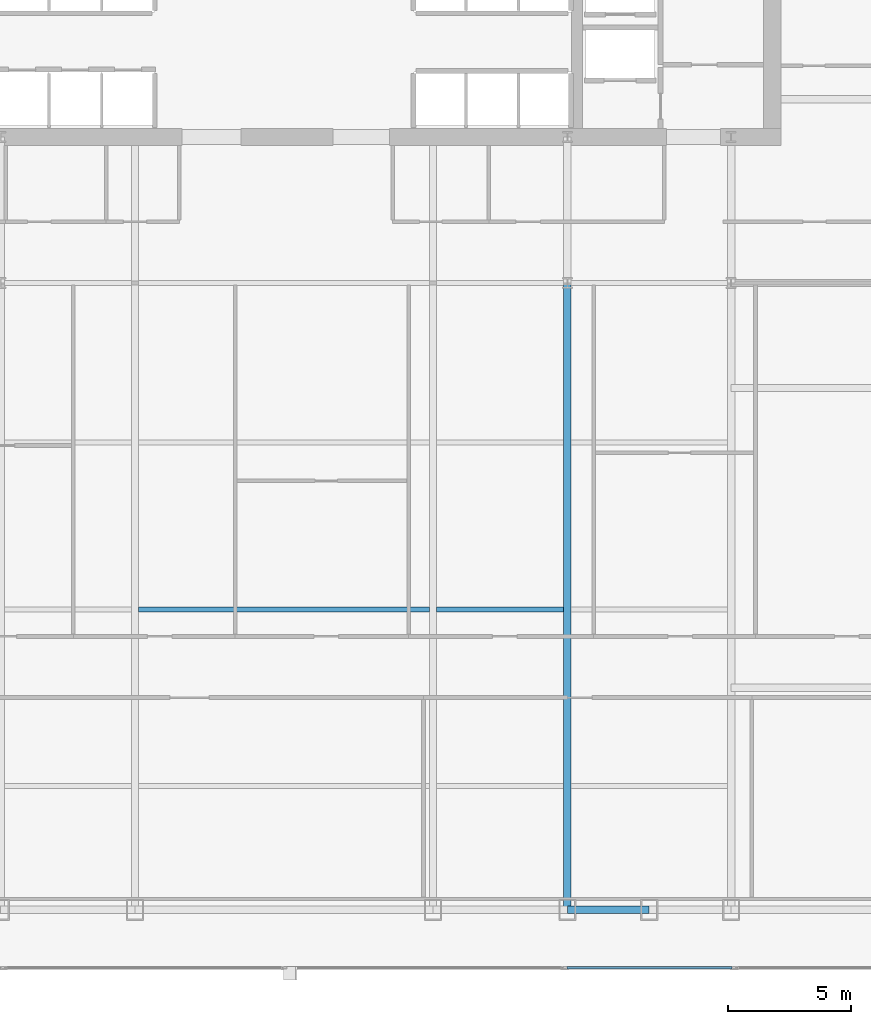
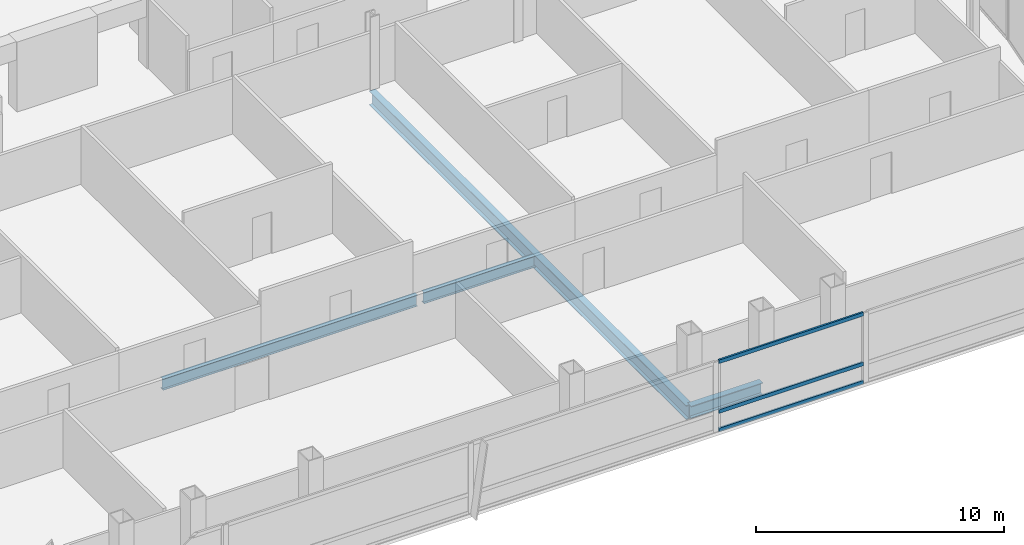
# One storey, part 14 of 32: 4 beams, 3 members, 1 element without a shape of its own.
"""IFC4 building model written with IfcOpenShell, lengths in metres."""

from ifc_helpers import new_model, si_unit, direction, frame, origin, origin_2d, place, context, subcontext, project, spatial, hollow_rectangle, i_section, extrude, material, material_profile, profile_set, type_object, element, aggregate, save


model = new_model("IFC4")

# Units and contexts
model_context = context("Model", 3, precision=1e-05, world=origin(), true_north=direction((0.0, 1.0)))
body_context = subcontext(model_context, "Body", "Model", "MODEL_VIEW")
ifc_project = project(units=[si_unit("LENGTHUNIT", "METRE"), si_unit("AREAUNIT", "SQUARE_METRE"), si_unit("VOLUMEUNIT", "CUBIC_METRE"), si_unit("PLANEANGLEUNIT", "RADIAN"), si_unit("MASSUNIT", "GRAM", prefix="KILO")], contexts=[model_context])

# Site, building, storey
site_placement = place(None, origin())
site = spatial("IfcSite", under=ifc_project, at=site_placement, CompositionType="ELEMENT")
building_placement = place(site_placement, origin())
building = spatial("IfcBuilding", under=site, at=building_placement, Name="Khoronbel Lancet Exchange", CompositionType="ELEMENT")
storey_placement = place(building_placement, frame((0.0, 0.0, 111.0)))
storey = spatial("IfcBuildingStorey", under=building, at=storey_placement, Name="L26", CompositionType="ELEMENT", Elevation=111.0)

# Beams
ifc_material_1 = material(Name="Steel S355", Category="steel")
ifc_material_profile_1 = material_profile(ifc_material_1, i_section(OverallWidth=0.300048828125, OverallDepth=0.699951171875, WebThickness=0.01708984375, FlangeThickness=0.031982421875, at=origin_2d()), Name="HEB 700")
ifc_profile_set_1 = profile_set([ifc_material_profile_1], Name="Steel S355")
beam_type_1 = type_object("IfcBeamType", Name="BM-BG3", PredefinedType="BEAM", material=ifc_profile_set_1)
beam_1_placement = place(storey_placement, frame((48.0, 10.14990234375, -0.510009765625), z_axis=(0.0, 1.0, 0.0), x_axis=(-1.0, 0.0, 0.0)))
element("IfcBeam", 1, at=beam_1_placement, inside=storey, type_object=beam_type_1, Name="Level L26 south primary girder GS5", PredefinedType="BEAM", context=body_context, shape_type="SweptSolid", body=[
    extrude(i_section(OverallWidth=0.300048828125, OverallDepth=0.699951171875, WebThickness=0.01708984375, FlangeThickness=0.031982421875, at=origin_2d()), origin(), (0.0, 0.0, 1.0), 25.550048828125),
])
ifc_material_profile_2 = material_profile(ifc_material_1, i_section(OverallWidth=0.2099609375, OverallDepth=0.550048828125, WebThickness=0.010986328125, FlangeThickness=0.01708984375, at=origin_2d()), Name="IPE 550")
ifc_profile_set_2 = profile_set([ifc_material_profile_2], Name="Steel S355")
beam_type_2 = type_object("IfcBeamType", Name="BM-BJ2", PredefinedType="JOIST", material=ifc_profile_set_2)
beam_2_placement = place(storey_placement, frame((30.52490234375, 22.39990234375, -0.43505859375), z_axis=(1.0, 0.0, 0.0), x_axis=(0.0, 1.0, 0.0)))
element("IfcBeam", 2, at=beam_2_placement, inside=storey, type_object=beam_type_2, Name="Level L26 secondary composite joist J08", PredefinedType="JOIST", context=body_context, shape_type="SweptSolid", body=[
    extrude(i_section(OverallWidth=0.2099609375, OverallDepth=0.550048828125, WebThickness=0.010986328125, FlangeThickness=0.01708984375, at=origin_2d()), origin(), (0.0, 0.0, 1.0), 11.85009765625),
])
beam_3_placement = place(storey_placement, frame((42.675048828125, 22.39990234375, -0.43505859375), z_axis=(1.0, 0.0, 0.0), x_axis=(0.0, 1.0, 0.0)))
element("IfcBeam", 3, at=beam_3_placement, inside=storey, type_object=beam_type_2, Name="Level L26 secondary composite joist J09", PredefinedType="JOIST", context=body_context, shape_type="SweptSolid", body=[
    extrude(i_section(OverallWidth=0.2099609375, OverallDepth=0.550048828125, WebThickness=0.010986328125, FlangeThickness=0.01708984375, at=origin_2d()), origin(), (0.0, 0.0, 1.0), 5.175048828125),
])
ifc_material_profile_3 = material_profile(ifc_material_1, i_section(OverallWidth=0.300048828125, OverallDepth=0.60009765625, WebThickness=0.015380859375, FlangeThickness=0.030029296875, at=origin_2d()), Name="HEB 600")
ifc_profile_set_3 = profile_set([ifc_material_profile_3], Name="Steel S355")
beam_type_3 = type_object("IfcBeamType", Name="BM-BSP2", PredefinedType="SPANDREL", material=ifc_profile_set_3)
beam_4_placement = place(storey_placement, frame((48.0, 10.14990234375, -0.4599609375), z_axis=(1.0, 0.0, 0.0), x_axis=(0.0, 1.0, 0.0)))
element("IfcBeam", 4, at=beam_4_placement, inside=storey, type_object=beam_type_3, Name="Level L26 perimeter spandrel beam SP07", PredefinedType="SPANDREL", context=body_context, shape_type="SweptSolid", body=[
    extrude(i_section(OverallWidth=0.300048828125, OverallDepth=0.60009765625, WebThickness=0.015380859375, FlangeThickness=0.030029296875, at=origin_2d()), origin(), (0.0, 0.0, 1.0), 3.33740234375),
])

# Curtain wall, members
ifc_material_2 = material(Name="Low-E Solar Control Insulating Glass", Category="glass")
curtain_wall_type = type_object("IfcCurtainWallType", Name="CW-2", PredefinedType="NOTDEFINED", material=ifc_material_2)
curtain_wall_placement = place(storey_placement, origin())
curtain_wall = element("IfcCurtainWall", 5, at=curtain_wall_placement, inside=storey, type_object=curtain_wall_type, Name="Unitised curtain wall CW-L26-SEB", PredefinedType="NOTDEFINED")
ifc_material_3 = material(Name="Bronze-Anodised Aluminium 6063-T6", Category="aluminium")
ifc_material_profile_4 = material_profile(ifc_material_3, hollow_rectangle(XDim=0.0849609375, YDim=0.179931640625, WallThickness=0.0048828125, at=origin_2d()), Name="ALU TRANSOM 85x180")
ifc_profile_set_4 = profile_set([ifc_material_profile_4], Name="Bronze-Anodised Aluminium 6063-T6")
member_type = type_object("IfcMemberType", Name="MEM-CWT1", PredefinedType="USERDEFINED", material=ifc_profile_set_4)
member_1_placement = place(storey_placement, frame((47.985107421875, 7.7900390625, 0.04248046875), z_axis=(1.0, 0.0, 0.0), x_axis=(0.0, 1.0, 0.0)))
member_1 = element("IfcMember", 6, at=member_1_placement, type_object=member_type, Name="CW2 transom 1.1", ObjectType="TRANSOM", PredefinedType="USERDEFINED", context=body_context, shape_type="SweptSolid", body=[
    extrude(hollow_rectangle(XDim=0.0849609375, YDim=0.179931640625, WallThickness=0.0048828125, at=origin_2d()), origin(), (0.0, 0.0, 1.0), 6.72998046875),
])
member_2_placement = place(storey_placement, frame((47.985107421875, 7.7900390625, 0.949951171875), z_axis=(1.0, 0.0, 0.0), x_axis=(0.0, 1.0, 0.0)))
member_2 = element("IfcMember", 7, at=member_2_placement, type_object=member_type, Name="CW2 transom 1.2", ObjectType="TRANSOM", PredefinedType="USERDEFINED", context=body_context, shape_type="SweptSolid", body=[
    extrude(hollow_rectangle(XDim=0.0849609375, YDim=0.179931640625, WallThickness=0.0048828125, at=origin_2d()), origin(), (0.0, 0.0, 1.0), 6.72998046875),
])
member_3_placement = place(storey_placement, frame((47.985107421875, 7.7900390625, 3.3974609375), z_axis=(1.0, 0.0, 0.0), x_axis=(0.0, 1.0, 0.0)))
member_3 = element("IfcMember", 8, at=member_3_placement, type_object=member_type, Name="CW2 transom 1.3", ObjectType="TRANSOM", PredefinedType="USERDEFINED", context=body_context, shape_type="SweptSolid", body=[
    extrude(hollow_rectangle(XDim=0.0849609375, YDim=0.179931640625, WallThickness=0.0048828125, at=origin_2d()), origin(), (0.0, 0.0, 1.0), 6.72998046875),
])
aggregate(curtain_wall, [member_1, member_2, member_3])

save(model, "model.ifc")
